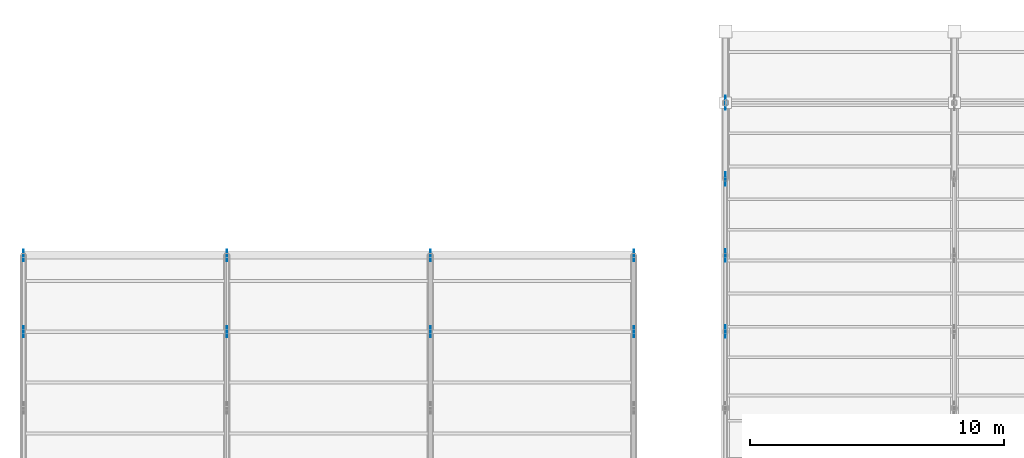
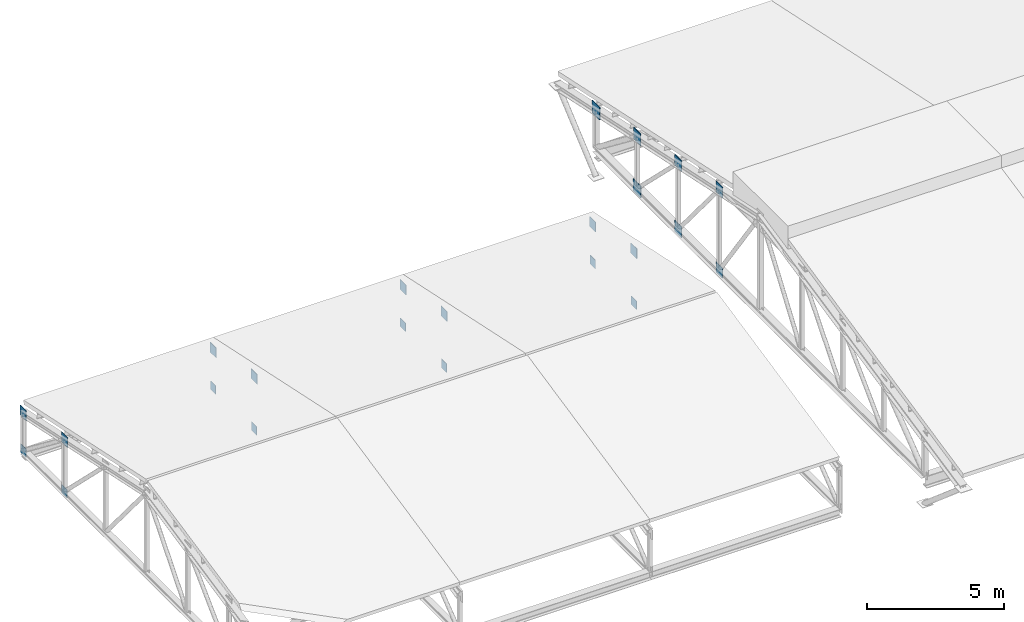
# One storey, part 34 of 43: 23 plates.
"""IFC4 building model written with IfcOpenShell, lengths in metres."""

from ifc_helpers import new_model, si_unit, direction, frame, origin, origin_2d, place, context, subcontext, project, spatial, rectangle, extrude, material, layer, layer_set, type_object, element, save


model = new_model("IFC4")

# Units and contexts
model_context = context("Model", 3, precision=1e-05, world=origin(), true_north=direction((0.0, 1.0)))
body_context = subcontext(model_context, "Body", "Model", "MODEL_VIEW")
ifc_project = project(units=[si_unit("LENGTHUNIT", "METRE"), si_unit("AREAUNIT", "SQUARE_METRE"), si_unit("VOLUMEUNIT", "CUBIC_METRE"), si_unit("PLANEANGLEUNIT", "RADIAN"), si_unit("MASSUNIT", "GRAM", prefix="KILO")], contexts=[model_context])

# Site, building, storey
site_placement = place(None, origin())
site = spatial("IfcSite", under=ifc_project, at=site_placement, CompositionType="ELEMENT")
building_placement = place(site_placement, origin())
building = spatial("IfcBuilding", under=site, at=building_placement, Name="Serraforn Aerial Cableway Station", CompositionType="ELEMENT")
storey_placement = place(building_placement, frame((0.0, 0.0, 18.300048828125)))
storey = spatial("IfcBuildingStorey", under=building, at=storey_placement, Name="RF", CompositionType="ELEMENT", Elevation=18.300048828125)

# Plates
ifc_material = material(Name="Steel S355J2", Category="steel")
ifc_layer_1 = layer(ifc_material, 0.02001953125)
ifc_layer_set_1 = layer_set([ifc_layer_1], Name="Steel S355J2")
plate_type_1 = type_object("IfcPlateType", Name="PLT-CAP-20", PredefinedType="USERDEFINED", material=ifc_layer_set_1)
for number, where, z_axis, x_axis, name in (
    (1, (0.0, 33.0, -1.739990234375), (0.0, 0.0, 1.0), (1.0, 0.0, 0.0), "Belvedere Truss Bottom Node WT-01-6"),
    (2, (0.0, 36.0, -1.739990234375), (0.0, 0.0, 1.0), (1.0, 0.0, 0.0), "Belvedere Truss Bottom Node WT-01-7"),
    (3, (8.0, 33.0, -1.739990234375), (0.0, 0.0, 1.0), (1.0, 0.0, 0.0), "Belvedere Truss Bottom Node WT-02-6"),
    (4, (8.0, 36.0, -1.739990234375), (0.0, 0.0, 1.0), (1.0, 0.0, 0.0), "Belvedere Truss Bottom Node WT-02-7"),
    (5, (16.0, 33.0, -1.739990234375), (0.0, 0.0, 1.0), (1.0, 0.0, 0.0), "Belvedere Truss Bottom Node WT-03-6"),
    (6, (16.0, 36.0, -1.739990234375), (0.0, 0.0, 1.0), (1.0, 0.0, 0.0), "Belvedere Truss Bottom Node WT-03-7"),
    (7, (24.0, 33.0, -1.739990234375), (0.0, 0.0, 1.0), (1.0, 0.0, 0.0), "Belvedere Truss Bottom Node WT-04-6"),
    (8, (24.0, 36.0, -1.739990234375), (0.0, 0.0, 1.0), (1.0, 0.0, 0.0), "Belvedere Truss Bottom Node WT-04-7"),
):
    element("IfcPlate", number, at=place(storey_placement, frame(where, z_axis=z_axis, x_axis=x_axis)), inside=storey, type_object=plate_type_1, Name=name, ObjectType="CAP PLATE", PredefinedType="USERDEFINED", context=body_context, shape_type="SweptSolid", body=[
        extrude(rectangle(XDim=0.02001953125, YDim=0.3798828125, at=origin_2d()), origin(), (0.0, 0.0, 1.0), 0.3798828125),
    ])
ifc_layer_2 = layer(ifc_material, 0.02392578125)
ifc_layer_set_2 = layer_set([ifc_layer_2], Name="Steel S355J2")
plate_type_2 = type_object("IfcPlateType", Name="PLT-CAP-24", PredefinedType="USERDEFINED", material=ifc_layer_set_2)
plate_1_placement = place(storey_placement, frame((27.60009765625, 33.0, -1.580078125), z_axis=(0.0, 0.0, 1.0), x_axis=(1.0, 0.0, 0.0)))
element("IfcPlate", 9, at=plate_1_placement, inside=storey, type_object=plate_type_2, Name="Truss Bottom Node Cap TR-01-6", ObjectType="CAP PLATE", PredefinedType="USERDEFINED", context=body_context, shape_type="SweptSolid", body=[
    extrude(rectangle(XDim=0.02392578125, YDim=0.4599609375, at=origin_2d()), origin(), (0.0, 0.0, 1.0), 0.4599609375),
])
ifc_layer_3 = layer(ifc_material, 0.028076171875)
ifc_layer_set_3 = layer_set([ifc_layer_3], Name="Steel S355J2")
plate_type_3 = type_object("IfcPlateType", Name="PLT-CAP-28", PredefinedType="USERDEFINED", material=ifc_layer_set_3)
plate_2_placement = place(storey_placement, frame((27.60009765625, 36.0, -1.60009765625), z_axis=(0.0, 0.0, 1.0), x_axis=(1.0, 0.0, 0.0)))
element("IfcPlate", 10, at=plate_2_placement, inside=storey, type_object=plate_type_3, Name="Truss Bottom Node Cap TR-01-7", ObjectType="CAP PLATE", PredefinedType="USERDEFINED", context=body_context, shape_type="SweptSolid", body=[
    extrude(rectangle(XDim=0.028076171875, YDim=0.5, at=origin_2d()), origin(), (0.0, 0.0, 1.0), 0.5),
])
ifc_layer_4 = layer(ifc_material, 0.031982421875)
ifc_layer_set_4 = layer_set([ifc_layer_4], Name="Steel S355J2")
plate_type_4 = type_object("IfcPlateType", Name="PLT-CAP-32", PredefinedType="USERDEFINED", material=ifc_layer_set_4)
plate_3_placement = place(storey_placement, frame((27.60009765625, 39.0, -1.6201171875), z_axis=(0.0, 0.0, 1.0), x_axis=(1.0, 0.0, 0.0)))
element("IfcPlate", 11, at=plate_3_placement, inside=storey, type_object=plate_type_4, Name="Truss Bottom Node Cap TR-01-8", ObjectType="CAP PLATE", PredefinedType="USERDEFINED", context=body_context, shape_type="SweptSolid", body=[
    extrude(rectangle(XDim=0.031982421875, YDim=0.5400390625, at=origin_2d()), origin(), (0.0, 0.0, 1.0), 0.5400390625),
])
ifc_layer_5 = layer(ifc_material, 0.02197265625)
ifc_layer_set_5 = layer_set([ifc_layer_5], Name="Steel S355J2")
plate_type_5 = type_object("IfcPlateType", Name="PLT-GUS-22", PredefinedType="USERDEFINED", material=ifc_layer_set_5)
for number, where, z_axis, x_axis, name in (
    (12, (0.0, 33.0, 0.546630859375), (0.0, 0.0, 1.0), (1.0, 0.0, 0.0), "Belvedere Truss Top Node WT-01-6"),
    (13, (0.0, 36.0, -0.091064453125), (0.0, 0.0, 1.0), (1.0, 0.0, 0.0), "Belvedere Truss Top Node WT-01-7"),
    (14, (8.0, 33.0, 0.546630859375), (0.0, 0.0, 1.0), (1.0, 0.0, 0.0), "Belvedere Truss Top Node WT-02-6"),
    (15, (8.0, 36.0, -0.091064453125), (0.0, 0.0, 1.0), (1.0, 0.0, 0.0), "Belvedere Truss Top Node WT-02-7"),
    (16, (16.0, 33.0, 0.546630859375), (0.0, 0.0, 1.0), (1.0, 0.0, 0.0), "Belvedere Truss Top Node WT-03-6"),
    (17, (16.0, 36.0, -0.091064453125), (0.0, 0.0, 1.0), (1.0, 0.0, 0.0), "Belvedere Truss Top Node WT-03-7"),
    (18, (24.0, 33.0, 0.546630859375), (0.0, 0.0, 1.0), (1.0, 0.0, 0.0), "Belvedere Truss Top Node WT-04-6"),
    (19, (24.0, 36.0, -0.091064453125), (0.0, 0.0, 1.0), (1.0, 0.0, 0.0), "Belvedere Truss Top Node WT-04-7"),
):
    element("IfcPlate", number, at=place(storey_placement, frame(where, z_axis=z_axis, x_axis=x_axis)), inside=storey, type_object=plate_type_5, Name=name, ObjectType="GUSSET PLATE", PredefinedType="USERDEFINED", context=body_context, shape_type="SweptSolid", body=[
        extrude(rectangle(XDim=0.02197265625, YDim=0.43994140625, at=origin_2d()), origin(), (0.0, 0.0, 1.0), 0.43994140625),
    ])
ifc_layer_6 = layer(ifc_material, 0.02294921875)
ifc_layer_set_6 = layer_set([ifc_layer_6], Name="Steel S355J2")
plate_type_6 = type_object("IfcPlateType", Name="PLT-GUS-23", PredefinedType="USERDEFINED", material=ifc_layer_set_6)
plate_4_placement = place(storey_placement, frame((27.60009765625, 33.0, 1.9931640625), z_axis=(0.0, 0.0, 1.0), x_axis=(1.0, 0.0, 0.0)))
element("IfcPlate", 20, at=plate_4_placement, inside=storey, type_object=plate_type_6, Name="Truss Top Node Gusset TR-01-6", ObjectType="GUSSET PLATE", PredefinedType="USERDEFINED", context=body_context, shape_type="SweptSolid", body=[
    extrude(rectangle(XDim=0.02294921875, YDim=0.489990234375, at=origin_2d()), origin(), (0.0, 0.0, 1.0), 0.489990234375),
])
ifc_layer_7 = layer(ifc_material, 0.02392578125)
ifc_layer_set_7 = layer_set([ifc_layer_7], Name="Steel S355J2")
plate_type_7 = type_object("IfcPlateType", Name="PLT-GUS-24", PredefinedType="USERDEFINED", material=ifc_layer_set_7)
plate_5_placement = place(storey_placement, frame((27.60009765625, 36.0, 1.360595703125), z_axis=(0.0, 0.0, 1.0), x_axis=(1.0, 0.0, 0.0)))
element("IfcPlate", 21, at=plate_5_placement, inside=storey, type_object=plate_type_7, Name="Truss Top Node Gusset TR-01-7", ObjectType="GUSSET PLATE", PredefinedType="USERDEFINED", context=body_context, shape_type="SweptSolid", body=[
    extrude(rectangle(XDim=0.02392578125, YDim=0.47998046875, at=origin_2d()), origin(), (0.0, 0.0, 1.0), 0.47998046875),
])
ifc_layer_8 = layer(ifc_material, 0.02587890625)
ifc_layer_set_8 = layer_set([ifc_layer_8], Name="Steel S355J2")
plate_type_8 = type_object("IfcPlateType", Name="PLT-GUS-26", PredefinedType="USERDEFINED", material=ifc_layer_set_8)
plate_6_placement = place(storey_placement, frame((27.60009765625, 39.0, 0.702880859375), z_axis=(0.0, 0.0, 1.0), x_axis=(1.0, 0.0, 0.0)))
element("IfcPlate", 22, at=plate_6_placement, inside=storey, type_object=plate_type_8, Name="Truss Top Node Gusset TR-01-8", ObjectType="GUSSET PLATE", PredefinedType="USERDEFINED", context=body_context, shape_type="SweptSolid", body=[
    extrude(rectangle(XDim=0.02587890625, YDim=0.52001953125, at=origin_2d()), origin(), (0.0, 0.0, 1.0), 0.52001953125),
])
ifc_layer_9 = layer(ifc_material, 0.028076171875)
ifc_layer_set_9 = layer_set([ifc_layer_9], Name="Steel S355J2")
plate_type_9 = type_object("IfcPlateType", Name="PLT-GUS-28", PredefinedType="USERDEFINED", material=ifc_layer_set_9)
plate_7_placement = place(storey_placement, frame((27.60009765625, 42.0, 0.045166015625), z_axis=(0.0, 0.0, 1.0), x_axis=(1.0, 0.0, 0.0)))
element("IfcPlate", 23, at=plate_7_placement, inside=storey, type_object=plate_type_9, Name="Truss Top Node Gusset TR-01-9", ObjectType="GUSSET PLATE", PredefinedType="USERDEFINED", context=body_context, shape_type="SweptSolid", body=[
    extrude(rectangle(XDim=0.028076171875, YDim=0.56005859375, at=origin_2d()), origin(), (0.0, 0.0, 1.0), 0.56005859375),
])

save(model, "model.ifc")
